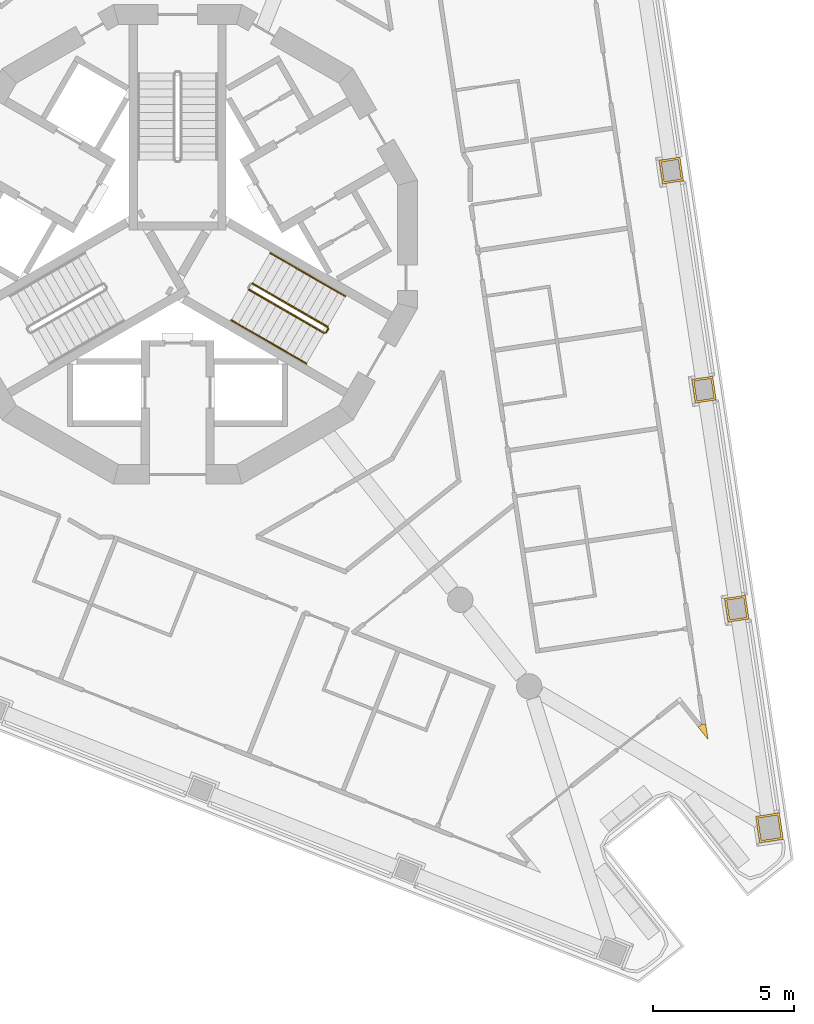
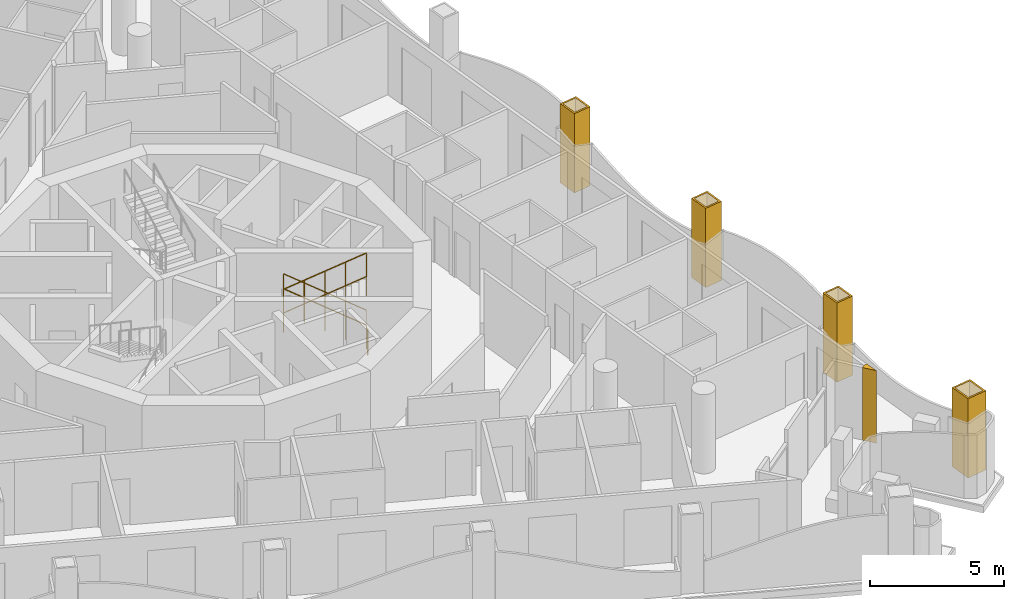
# One storey, part 14 of 16: 7 railings, 5 coverings.
"""IFC4 building model written with IfcOpenShell, lengths in metres."""

import ifcopenshell
import ifcopenshell.guid

model = None  # the IFC model being written
_history = None  # IfcOwnerHistory: only IFC2X3 demands one
_inside = {}  # id of a spatial element -> (the spatial element, [elements in it])
_under = {}  # id of a project, library or spatial element -> (it, [spatial elements below it])
_declared = {}  # id of a project -> (the project, [libraries it declares])
_typed = {}  # id of a type object -> (the type object, [elements of that type])
_made_of = {}  # id of a material, layer set ... -> (it, [elements and type objects made of it])


def new_model(schema):
    """Start an empty IFC model of exactly this schema.

    Asked for "IFC4X3", IfcOpenShell would pick the latest addendum, in which some entities
    have other attributes; the version numbers below select the first issue.
    IFC2X3 requires an IfcOwnerHistory on every rooted entity: one is made here for all.
    """
    global model, _history
    if schema == "IFC4X3":
        model = ifcopenshell.file(schema_version=(4, 3, 0, 0))
    else:
        model = ifcopenshell.file(schema=schema)
    _inside.clear()
    _under.clear()
    _declared.clear()
    _typed.clear()
    _made_of.clear()
    _history = None
    if model.schema == "IFC2X3":
        org = make("IfcOrganization", Name="unknown")
        user = make(
            "IfcPersonAndOrganization",
            ThePerson=make("IfcPerson", FamilyName="unknown"),
            TheOrganization=org,
        )
        app = make(
            "IfcApplication",
            ApplicationDeveloper=org,
            Version="unknown",
            ApplicationFullName="unknown",
            ApplicationIdentifier="unknown",
        )
        _history = make(
            "IfcOwnerHistory",
            OwningUser=user,
            OwningApplication=app,
            ChangeAction="ADDED",
            CreationDate=0,
        )
    return model


def make(cls, **values):
    """One entity of the class cls with the attributes given. An attribute that is None is left unset."""
    return model.create_entity(
        cls, **{name: value for name, value in values.items() if value is not None}
    )


def rooted(cls, **values):
    """An entity with a GlobalId (a new one), such as an element, a storey or a relation."""
    return make(cls, GlobalId=ifcopenshell.guid.new(), OwnerHistory=_history, **values)


def si_unit(unit_type, name, prefix=None):
    """IfcSIUnit, for example si_unit("LENGTHUNIT", "METRE", prefix="MILLI")."""
    return make("IfcSIUnit", UnitType=unit_type, Prefix=prefix, Name=name)


def assignment(units):
    """IfcUnitAssignment: the units of a project."""
    return None if units is None else make("IfcUnitAssignment", Units=units)


def point(xyz):
    """IfcCartesianPoint."""
    return None if xyz is None else make("IfcCartesianPoint", Coordinates=xyz)


def direction(xyz):
    """IfcDirection."""
    return None if xyz is None else make("IfcDirection", DirectionRatios=xyz)


def frame(location, z_axis=None, x_axis=None):
    """IfcAxis2Placement3D, a coordinate frame: its origin and axes. An axis left out is left unset."""
    return make(
        "IfcAxis2Placement3D",
        Location=point(location),
        Axis=direction(z_axis),
        RefDirection=direction(x_axis),
    )


def frame_2d(location, x_axis=None):
    """IfcAxis2Placement2D, a coordinate frame in the plane: its origin and x axis."""
    return make(
        "IfcAxis2Placement2D", Location=point(location), RefDirection=direction(x_axis)
    )


def origin():
    """The frame at (0, 0, 0) with its axes left unset."""
    return frame((0.0, 0.0, 0.0))


def origin_2d():
    """The frame at (0, 0) in the plane with its x axis left unset."""
    return frame_2d((0.0, 0.0))


def place(relative_to, where):
    """IfcLocalPlacement: puts the frame where relative to a parent placement (None: the world)."""
    return make(
        "IfcLocalPlacement", PlacementRelTo=relative_to, RelativePlacement=where
    )


def context(
    kind, dimensions, precision=None, world=None, true_north=None, identifier=None
):
    """IfcGeometricRepresentationContext, for example the 3D "Model" context."""
    return make(
        "IfcGeometricRepresentationContext",
        ContextIdentifier=identifier,
        ContextType=kind,
        CoordinateSpaceDimension=dimensions,
        Precision=precision,
        WorldCoordinateSystem=world,
        TrueNorth=true_north,
    )


def subcontext(parent, identifier, kind, view, scale=None):
    """IfcGeometricRepresentationSubContext, for example "Body" below "Model"."""
    return make(
        "IfcGeometricRepresentationSubContext",
        ContextIdentifier=identifier,
        ContextType=kind,
        ParentContext=parent,
        TargetScale=scale,
        TargetView=view,
    )


def project(units=None, contexts=None):
    """IfcProject with its units and contexts."""
    return rooted(
        "IfcProject",
        Name="project",
        RepresentationContexts=contexts,
        UnitsInContext=assignment(units),
    )


def spatial(cls, under=None, at=None, **own):
    """A site, building, storey or space (cls), placed at a placement, below another one or the project."""
    s = rooted(cls, ObjectPlacement=at, **own)
    if under is not None:
        _under.setdefault(under.id(), (under, []))[1].append(s)
    return s


def polyline(points):
    """IfcPolyline through the points."""
    return make("IfcPolyline", Points=[point(p) for p in points])


def profile(cls, at=None, kind="AREA", **sizes):
    """A parametric profile (cls). Its sizes go by their IFC names, for example OverallWidth=200.0."""
    return make(cls, ProfileType=kind, Position=at, **sizes)


def circle(**sizes):
    """IfcCircleProfileDef."""
    return profile("IfcCircleProfileDef", **sizes)


def outline(outer, holes=None, kind="AREA"):
    """IfcArbitraryClosedProfileDef: a profile drawn as a closed curve; with holes, ...WithVoids."""
    if holes is None:
        return make("IfcArbitraryClosedProfileDef", ProfileType=kind, OuterCurve=outer)
    return make(
        "IfcArbitraryProfileDefWithVoids",
        ProfileType=kind,
        OuterCurve=outer,
        InnerCurves=holes,
    )


def extrude(swept, where, along, depth):
    """IfcExtrudedAreaSolid: the profile swept, set in the frame where, extruded along a direction by depth."""
    return make(
        "IfcExtrudedAreaSolid",
        SweptArea=swept,
        Position=where,
        ExtrudedDirection=direction(along),
        Depth=depth,
    )


def shape(context_of_items, identifier, shape_type, items):
    """IfcShapeRepresentation: the items that make up one representation, for example the "Body"."""
    return make(
        "IfcShapeRepresentation",
        ContextOfItems=context_of_items,
        RepresentationIdentifier=identifier,
        RepresentationType=shape_type,
        Items=items,
    )


def material(Name=None, Category=None):
    """IfcMaterial."""
    return make("IfcMaterial", Name=Name, Category=Category)


def layer(
    of_material, thickness, ventilated=None, Name=None, Category=None, Priority=None
):
    """IfcMaterialLayer: one layer of a wall or slab, of a material (None: an air gap)."""
    return make(
        "IfcMaterialLayer",
        Material=of_material,
        LayerThickness=thickness,
        IsVentilated=ventilated,
        Name=Name,
        Category=Category,
        Priority=Priority,
    )


def layer_set(layers, Name=None):
    """IfcMaterialLayerSet."""
    return make("IfcMaterialLayerSet", MaterialLayers=layers, LayerSetName=Name)


def made_of(thing, what):
    """Note that an element or type object is made of a material, layer set ...; save() writes the relation."""
    if what is not None:
        _made_of.setdefault(what.id(), (what, []))[1].append(thing)
    return thing


def type_object(cls, material=None, **own):
    """A type object (cls), such as IfcWallType, which elements share."""
    return made_of(rooted(cls, **own), material)


def element(
    cls,
    number,
    at=None,
    inside=None,
    cuts=None,
    type_object=None,
    material=None,
    context=None,
    identifier="Body",
    shape_type=None,
    held_by="IfcProductDefinitionShape",
    body=None,
    shapes=None,
    **own,
):
    """One element of the class cls, such as IfcWall. Its Tag is "e" and its number.

    at: its placement. inside: the storey or other place that contains it. cuts: it is an
    opening in that element (IfcRelVoidsElement). A single representation is given by context,
    identifier, shape_type and body (its items); several are given by shapes. held_by: the class
    of the entity that holds the representations. save() writes the other relations.
    """
    e = rooted(cls, Tag="e%d" % number, ObjectPlacement=at, **own)
    if body is not None:
        shapes = [shape(context, identifier, shape_type, body)]
    if shapes is not None:
        e.Representation = make(held_by, Representations=shapes)
    if inside is not None:
        _inside.setdefault(inside.id(), (inside, []))[1].append(e)
    if cuts is not None:
        rooted(
            "IfcRelVoidsElement", RelatingBuildingElement=cuts, RelatedOpeningElement=e
        )
    if type_object is not None:
        _typed.setdefault(type_object.id(), (type_object, []))[1].append(e)
    return made_of(e, material)


def aggregate(whole, parts):
    """IfcRelAggregates: a whole, such as a stair, and the parts it consists of."""
    return rooted("IfcRelAggregates", RelatingObject=whole, RelatedObjects=parts)


def save(model, path):
    """Write the relations noted so far, then the file.

    IfcRelAggregates (storeys below a building ...), IfcRelContainedInSpatialStructure (elements
    in a storey), IfcRelDefinesByType, IfcRelAssociatesMaterial and IfcRelDeclares: one each for
    every whole, place, type object, material and project.
    """
    for whole, parts in _under.values():
        aggregate(whole, parts)
    for where, things in _inside.values():
        rooted(
            "IfcRelContainedInSpatialStructure",
            RelatedElements=things,
            RelatingStructure=where,
        )
    for kind, things in _typed.values():
        rooted("IfcRelDefinesByType", RelatedObjects=things, RelatingType=kind)
    for what, things in _made_of.values():
        rooted("IfcRelAssociatesMaterial", RelatedObjects=things, RelatingMaterial=what)
    for by, libraries in _declared.values():
        rooted("IfcRelDeclares", RelatingContext=by, RelatedDefinitions=libraries)
    model.write(path)


model = new_model("IFC4")

# Units and contexts
model_context = context("Model", 3, precision=1e-05, world=origin(), true_north=direction((0.0, 1.0)))
body_context = subcontext(model_context, "Body", "Model", "MODEL_VIEW")
ifc_project = project(units=[si_unit("LENGTHUNIT", "METRE"), si_unit("AREAUNIT", "SQUARE_METRE"), si_unit("VOLUMEUNIT", "CUBIC_METRE"), si_unit("PLANEANGLEUNIT", "RADIAN"), si_unit("MASSUNIT", "GRAM", prefix="KILO")], contexts=[model_context])

# Site, building, storey
site_placement = place(None, origin())
site = spatial("IfcSite", under=ifc_project, at=site_placement, CompositionType="ELEMENT")
building_placement = place(site_placement, origin())
building = spatial("IfcBuilding", under=site, at=building_placement, Name="Trine Commons Tower", CompositionType="ELEMENT")
storey_placement = place(building_placement, frame((0.0, 0.0, 219.60009765625)))
storey = spatial("IfcBuildingStorey", under=building, at=storey_placement, Name="L57", CompositionType="ELEMENT", Elevation=219.60009765625)

# Coverings
ifc_material_1 = material(Name="Aluminium-framed insulated wall panel", Category="aluminium")
ifc_layer_1 = layer(ifc_material_1, 0.14990234375)
ifc_layer_set_1 = layer_set([ifc_layer_1], Name="Aluminium-framed insulated wall panel")
covering_type_1 = type_object("IfcCoveringType", Name="Glazing corner post, aluminium", PredefinedType="CLADDING", material=ifc_layer_set_1)
covering_1_placement = place(storey_placement, origin())
element("IfcCovering", 1, at=covering_1_placement, inside=storey, type_object=covering_type_1, Name="Glazing corner post 6-06", PredefinedType="CLADDING", context=body_context, shape_type="SweptSolid", body=[
    extrude(outline(polyline([(98.4521484375, 45.390625), (98.800537109375, 44.95263671875), (98.718017578125, 45.506103515625), (98.569580078125, 45.484130859375), (98.4521484375, 45.390625)])), origin(), (0.0, 0.0, 1.0), 3.2998046875),
])
ifc_material_2 = material(Name="Limestone, honed", Category="masonry")
ifc_layer_2 = layer(ifc_material_2, 0.074951171875)
ifc_layer_set_2 = layer_set([ifc_layer_2], Name="Limestone, honed")
covering_type_2 = type_object("IfcCoveringType", Name="Limestone column cladding 75", PredefinedType="CLADDING", material=ifc_layer_set_2)
covering_2_placement = place(storey_placement, origin())
element("IfcCovering", 2, at=covering_2_placement, inside=storey, type_object=covering_type_2, Name="Limestone pier cladding 6-18", PredefinedType="CLADDING", context=body_context, shape_type="SweptSolid", body=[
    extrude(outline(polyline([(97.80419921875, 65.590576171875), (97.0625, 65.479736328125), (97.18798828125, 64.638916015625), (97.9296875, 64.75), (97.80419921875, 65.590576171875)]), holes=[polyline([(97.7412109375, 65.50537109375), (97.147705078125, 65.41650390625), (97.251220703125, 64.724365234375), (97.844482421875, 64.81298828125), (97.7412109375, 65.50537109375)])]), origin(), (0.0, 0.0, 1.0), 3.599853515625),
])
covering_3_placement = place(storey_placement, origin())
element("IfcCovering", 3, at=covering_3_placement, inside=storey, type_object=covering_type_2, Name="Limestone pier cladding 6-19", PredefinedType="CLADDING", context=body_context, shape_type="SweptSolid", body=[
    extrude(outline(polyline([(98.964599609375, 57.826171875), (98.222900390625, 57.71533203125), (98.348388671875, 56.87451171875), (99.090087890625, 56.985595703125), (98.964599609375, 57.826171875)]), holes=[polyline([(98.901611328125, 57.740966796875), (98.30810546875, 57.652099609375), (98.41162109375, 56.9599609375), (99.0048828125, 57.048583984375), (98.901611328125, 57.740966796875)])]), origin(), (0.0, 0.0, 1.0), 3.599853515625),
])
covering_4_placement = place(storey_placement, origin())
element("IfcCovering", 4, at=covering_4_placement, inside=storey, type_object=covering_type_2, Name="Limestone pier cladding 6-20", PredefinedType="CLADDING", context=body_context, shape_type="SweptSolid", body=[
    extrude(outline(polyline([(100.125, 50.06201171875), (99.38330078125, 49.950927734375), (99.5087890625, 49.1103515625), (100.25048828125, 49.22119140625), (100.125, 50.06201171875)]), holes=[polyline([(100.06201171875, 49.9765625), (99.468505859375, 49.887939453125), (99.572021484375, 49.195556640625), (100.165283203125, 49.2841796875), (100.06201171875, 49.9765625)])]), origin(), (0.0, 0.0, 1.0), 3.599853515625),
])
covering_5_placement = place(storey_placement, origin())
element("IfcCovering", 5, at=covering_5_placement, inside=storey, type_object=covering_type_2, Name="Limestone pier cladding 6-21", PredefinedType="CLADDING", context=body_context, shape_type="SweptSolid", body=[
    extrude(outline(polyline([(101.327392578125, 42.354248046875), (100.48681640625, 42.228759765625), (100.627197265625, 41.2890625), (101.4677734375, 41.414794921875), (101.327392578125, 42.354248046875)]), holes=[polyline([(101.264404296875, 42.26904296875), (100.572021484375, 42.16552734375), (100.690185546875, 41.37451171875), (101.382568359375, 41.477783203125), (101.264404296875, 42.26904296875)])]), origin(), (0.0, 0.0, 1.0), 3.599853515625),
])

# Railings
ifc_material_3 = material(Name="Stainless steel balustrade", Category="steel")
railing_type_1 = type_object("IfcRailingType", Name="Stair guard, steel balustrade 1100", PredefinedType="GUARDRAIL", material=ifc_material_3)
railing_1_placement = place(storey_placement, frame((85.31982421875, 59.572998046875, 0.14990234375)))
element("IfcRailing", 6, at=railing_1_placement, inside=storey, type_object=railing_type_1, Name="L57 ST3C stair guard 1", PredefinedType="GUARDRAIL", context=body_context, shape_type="SweptSolid", body=[
    extrude(circle(Radius=0.02392578125, at=origin_2d()), frame((0.0, 0.0, 1.076171875), z_axis=(-0.76340495495, 0.440743040072, 0.472184759798), x_axis=(-0.499992328818, -0.866029832698, 0.0)), (0.0, 0.0, 1.0), 3.494140625),
    extrude(circle(Radius=0.02099609375, at=origin_2d()), origin(), (0.0, 0.0, 1.0), 1.052001953125),
    extrude(circle(Radius=0.02099609375, at=origin_2d()), frame((-0.6669921875, 0.385009765625, 0.41259765625)), (0.0, 0.0, 1.0), 1.052001953125),
    extrude(circle(Radius=0.02099609375, at=origin_2d()), frame((-1.333740234375, 0.77001953125, 0.824951171875)), (0.0, 0.0, 1.0), 1.052001953125),
    extrude(circle(Radius=0.02099609375, at=origin_2d()), frame((-2.00048828125, 1.155029296875, 1.2373046875)), (0.0, 0.0, 1.0), 1.052001953125),
    extrude(circle(Radius=0.02099609375, at=origin_2d()), frame((-2.66748046875, 1.5400390625, 1.64990234375)), (0.0, 0.0, 1.0), 1.052001953125),
])
railing_2_placement = place(storey_placement, frame((82.52734375, 60.896484375, 1.949951171875)))
element("IfcRailing", 7, at=railing_2_placement, inside=storey, type_object=railing_type_1, Name="L57 ST3C stair guard 3", PredefinedType="GUARDRAIL", context=body_context, shape_type="SweptSolid", body=[
    extrude(circle(Radius=0.02392578125, at=origin_2d()), frame((0.0, 0.0, 1.076171875), z_axis=(0.76340495495, -0.440743040072, 0.472184759798), x_axis=(0.499992328818, 0.866029832698, 0.0)), (0.0, 0.0, 1.0), 3.494140625),
    extrude(circle(Radius=0.02099609375, at=origin_2d()), origin(), (0.0, 0.0, 1.0), 1.052001953125),
    extrude(circle(Radius=0.02099609375, at=origin_2d()), frame((0.6669921875, -0.385009765625, 0.41259765625)), (0.0, 0.0, 1.0), 1.052001953125),
    extrude(circle(Radius=0.02099609375, at=origin_2d()), frame((1.333740234375, -0.77001953125, 0.824951171875)), (0.0, 0.0, 1.0), 1.052001953125),
    extrude(circle(Radius=0.02099609375, at=origin_2d()), frame((2.00048828125, -1.155029296875, 1.2373046875)), (0.0, 0.0, 1.0), 1.052001953125),
    extrude(circle(Radius=0.02099609375, at=origin_2d()), frame((2.66748046875, -1.5400390625, 1.64990234375)), (0.0, 0.0, 1.0), 1.052001953125),
])
railing_3_placement = place(storey_placement, frame((85.338134765625, 59.504638671875, 0.0)))
element("IfcRailing", 8, at=railing_3_placement, inside=storey, type_object=railing_type_1, Name="L57 ST3C stair guard 4", PredefinedType="GUARDRAIL", context=body_context, shape_type="SweptSolid", body=[
    extrude(circle(Radius=0.02392578125, at=origin_2d()), frame((0.0, 0.0, 1.076171875), z_axis=(-0.499816412211, -0.866131372301, 0.0), x_axis=(0.866131372301, -0.499816412211, 0.0)), (0.0, 0.0, 1.0), 0.14990234375),
    extrude(circle(Radius=0.02099609375, at=origin_2d()), origin(), (0.0, 0.0, 1.0), 1.052001953125),
    extrude(circle(Radius=0.02099609375, at=origin_2d()), frame((-0.074951171875, -0.1298828125, 0.0)), (0.0, 0.0, 1.0), 1.052001953125),
])
ifc_material_4 = material(Name="Stainless steel handrail", Category="steel")
railing_type_2 = type_object("IfcRailingType", Name="Stair handrail, steel 900", PredefinedType="HANDRAIL", material=ifc_material_4)
for number, where, name in (
    (9, (85.94482421875, 60.655517578125, 0.14990234375), "L57 ST3C stair handrail 1"),
    (10, (84.611083984375, 61.425537109375, 0.974853515625), "L57 ST3C stair handrail 2"),
):
    element("IfcRailing", number, at=place(storey_placement, frame(where)), inside=storey, type_object=railing_type_2, Name=name, PredefinedType="HANDRAIL", context=body_context, shape_type="SweptSolid", body=[
        extrude(circle(Radius=0.02099609375, at=origin_2d()), frame((0.0, 0.0, 0.87890625), z_axis=(-0.76340495495, 0.440743040072, 0.472184759798), x_axis=(-0.499992328818, -0.866029832698, 0.0)), (0.0, 0.0, 1.0), 1.7470703125),
        extrude(circle(Radius=0.01513671875, at=origin_2d()), origin(), (0.0, 0.0, 1.0), 0.85791015625),
        extrude(circle(Radius=0.01513671875, at=origin_2d()), frame((-0.6669921875, 0.385009765625, 0.41259765625)), (0.0, 0.0, 1.0), 0.85791015625),
        extrude(circle(Radius=0.01513671875, at=origin_2d()), frame((-1.333740234375, 0.77001953125, 0.824951171875)), (0.0, 0.0, 1.0), 0.85791015625),
    ])
for number, where, name in (
    (11, (81.90234375, 59.81396484375, 1.949951171875), "L57 ST3C stair handrail 3"),
    (12, (83.236083984375, 59.0439453125, 2.77490234375), "L57 ST3C stair handrail 4"),
):
    element("IfcRailing", number, at=place(storey_placement, frame(where)), inside=storey, type_object=railing_type_2, Name=name, PredefinedType="HANDRAIL", context=body_context, shape_type="SweptSolid", body=[
        extrude(circle(Radius=0.02099609375, at=origin_2d()), frame((0.0, 0.0, 0.87890625), z_axis=(0.76340495495, -0.440743040072, 0.472184759798), x_axis=(0.499992328818, 0.866029832698, 0.0)), (0.0, 0.0, 1.0), 1.7470703125),
        extrude(circle(Radius=0.01513671875, at=origin_2d()), origin(), (0.0, 0.0, 1.0), 0.85791015625),
        extrude(circle(Radius=0.01513671875, at=origin_2d()), frame((0.6669921875, -0.385009765625, 0.41259765625)), (0.0, 0.0, 1.0), 0.85791015625),
        extrude(circle(Radius=0.01513671875, at=origin_2d()), frame((1.333740234375, -0.77001953125, 0.824951171875)), (0.0, 0.0, 1.0), 0.85791015625),
    ])

save(model, "model.ifc")
